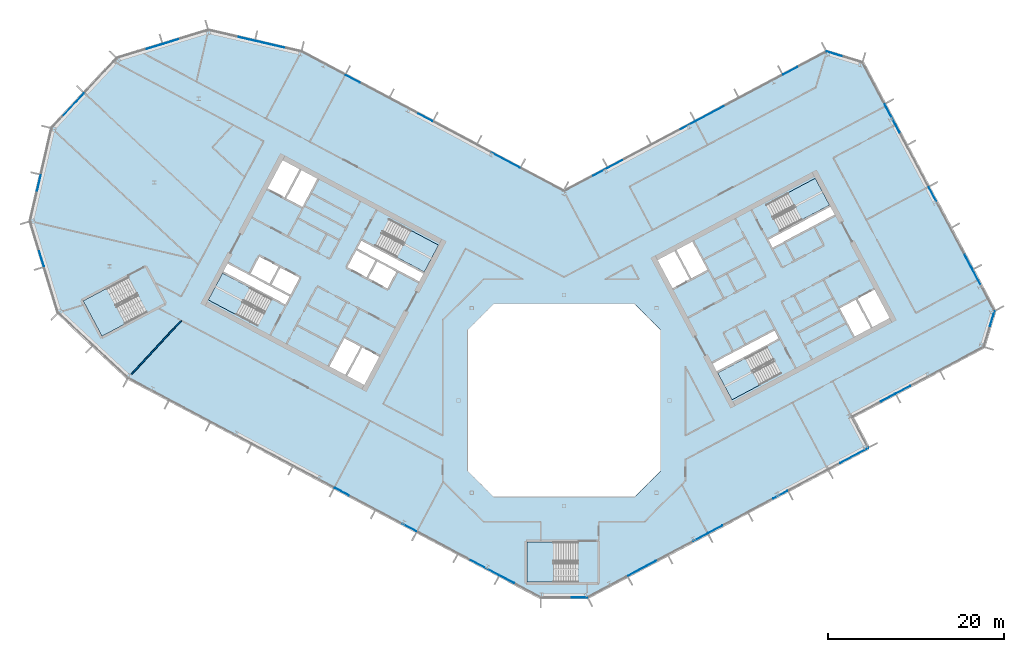
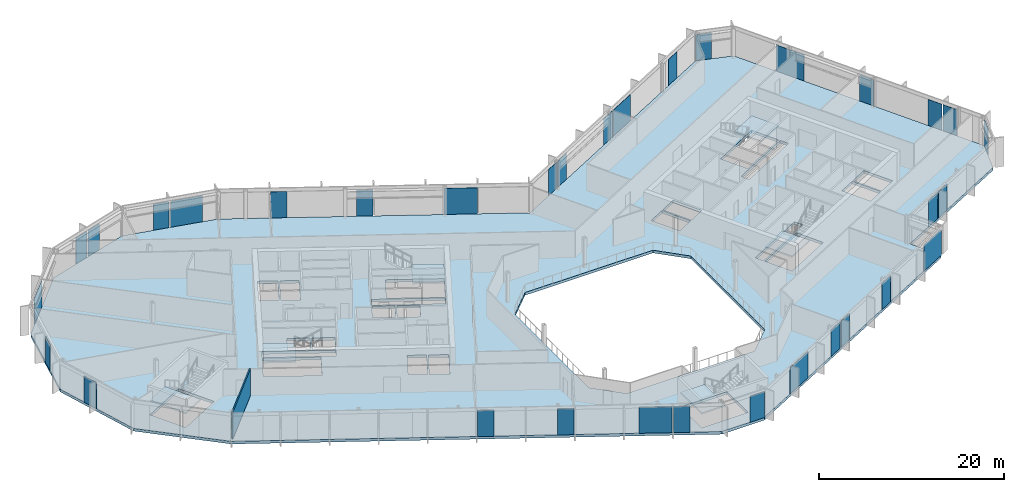
# One storey, part 11 of 26: 33 plates, 7 slabs, 1 wall, 20 elements without a shape of their own.
"""IFC4 building model written with IfcOpenShell, lengths in metres."""

from ifc_helpers import new_model, si_unit, direction, frame, frame_2d, origin, origin_2d, place, context, subcontext, project, spatial, polyline, rectangle, outline, extrude, material, layer, layer_set, type_object, element, aggregate, save


model = new_model("IFC4")

# Units and contexts
model_context = context("Model", 3, precision=1e-05, world=origin(), true_north=direction((0.0, 1.0)))
body_context = subcontext(model_context, "Body", "Model", "MODEL_VIEW")
ifc_project = project(units=[si_unit("LENGTHUNIT", "METRE"), si_unit("AREAUNIT", "SQUARE_METRE"), si_unit("VOLUMEUNIT", "CUBIC_METRE"), si_unit("PLANEANGLEUNIT", "RADIAN"), si_unit("MASSUNIT", "GRAM", prefix="KILO")], contexts=[model_context])

# Site, building, storey
site_placement = place(None, origin())
site = spatial("IfcSite", under=ifc_project, at=site_placement, CompositionType="ELEMENT")
building_placement = place(site_placement, origin())
building = spatial("IfcBuilding", under=site, at=building_placement, Name="Cormorant Relay Tower", CompositionType="ELEMENT")
storey_placement = place(building_placement, frame((0.0, 0.0, 197.39990234375)))
storey = spatial("IfcBuildingStorey", under=building, at=storey_placement, Name="L42", CompositionType="ELEMENT", Elevation=197.39990234375)

# Curtain wall, plate
ifc_material_1 = material(Name="Aluminium 6063-T6 anodised bronze", Category="aluminium")
ifc_layer_1 = layer(ifc_material_1, 0.199951171875)
ifc_layer_set_1 = layer_set([ifc_layer_1], Name="CW1 unitised bronze curtain wall with vertical fins")
curtain_wall_type = type_object("IfcCurtainWallType", Name="CW1 unitised bronze curtain wall with vertical fins", PredefinedType="NOTDEFINED", material=ifc_layer_set_1)
curtain_wall_1_placement = place(storey_placement, origin())
curtain_wall_1 = element("IfcCurtainWall", 1, at=curtain_wall_1_placement, inside=storey, type_object=curtain_wall_type, Name="CW1 curtain wall 1", PredefinedType="NOTDEFINED")
ifc_material_2 = material(Name="Tinted laminated glass", Category="glass")
ifc_layer_2 = layer(ifc_material_2, 0.0400390625)
ifc_layer_set_2 = layer_set([ifc_layer_2], Name="CW1 tinted vision panel 1800 module")
plate_type_1 = type_object("IfcPlateType", Name="CW1 tinted vision panel 1800 module", PredefinedType="CURTAIN_PANEL", material=ifc_layer_set_2)
plate_1_placement = place(storey_placement, frame((1.748779296875, -22.3955078125, 0.0), z_axis=(0.0, 0.0, 1.0), x_axis=(1.0, 0.0, 0.0)))
plate_1 = element("IfcPlate", 2, at=plate_1_placement, type_object=plate_type_1, Name="CW1 panel V01", PredefinedType="CURTAIN_PANEL", context=body_context, shape_type="SweptSolid", body=[
    extrude(rectangle(XDim=1.800048828125, YDim=0.0400390625, at=origin_2d()), origin(), (0.0, 0.0, 1.0), 3.449951171875),
])
aggregate(curtain_wall_1, [plate_1])

# Curtain wall, plates
curtain_wall_2_placement = place(storey_placement, origin())
curtain_wall_2 = element("IfcCurtainWall", 3, at=curtain_wall_2_placement, inside=storey, type_object=curtain_wall_type, Name="CW1 curtain wall 2", PredefinedType="NOTDEFINED")
plate_2_placement = place(storey_placement, frame((15.48291015625, -15.57421875, 0.0), z_axis=(0.0, 0.0, 1.0), x_axis=(0.882947592859, 0.469471562786, 0.0)))
plate_2 = element("IfcPlate", 4, at=plate_2_placement, type_object=plate_type_1, Name="CW1 panel V03", PredefinedType="CURTAIN_PANEL", context=body_context, shape_type="SweptSolid", body=[
    extrude(rectangle(XDim=1.800048828125, YDim=0.0400390625, at=origin_2d()), origin(), (0.0, 0.0, 1.0), 3.449951171875),
])
plate_3_placement = place(storey_placement, frame((17.20458984375, -14.65869140625, 0.0), z_axis=(0.0, 0.0, 1.0), x_axis=(0.882947592859, 0.469471562786, 0.0)))
plate_3 = element("IfcPlate", 5, at=plate_3_placement, type_object=plate_type_1, Name="CW1 panel V04", PredefinedType="CURTAIN_PANEL", context=body_context, shape_type="SweptSolid", body=[
    extrude(rectangle(XDim=1.800048828125, YDim=0.0400390625, at=origin_2d()), origin(), (0.0, 0.0, 1.0), 3.449951171875),
])
plate_4_placement = place(storey_placement, frame((24.6064453125, -10.72314453125, 0.0), z_axis=(0.0, 0.0, 1.0), x_axis=(0.882947592859, 0.469471562786, 0.0)))
plate_4 = element("IfcPlate", 6, at=plate_4_placement, type_object=plate_type_1, Name="CW1 panel V06", PredefinedType="CURTAIN_PANEL", context=body_context, shape_type="SweptSolid", body=[
    extrude(rectangle(XDim=1.800048828125, YDim=0.0400390625, at=origin_2d()), origin(), (0.0, 0.0, 1.0), 3.449951171875),
])

curtain_wall_3_placement = place(storey_placement, origin())
curtain_wall_3 = element("IfcCurtainWall", 7, at=curtain_wall_3_placement, inside=storey, type_object=curtain_wall_type, Name="CW1 curtain wall 4", PredefinedType="NOTDEFINED")
plate_5_placement = place(storey_placement, frame((36.85546875, 0.320068359375, 0.0), z_axis=(0.0, 0.0, 1.0), x_axis=(0.882947592859, 0.469471562786, 0.0)))
plate_5 = element("IfcPlate", 8, at=plate_5_placement, type_object=plate_type_1, Name="CW1 panel V01", PredefinedType="CURTAIN_PANEL", context=body_context, shape_type="SweptSolid", body=[
    extrude(rectangle(XDim=1.800048828125, YDim=0.0400390625, at=origin_2d()), origin(), (0.0, 0.0, 1.0), 3.449951171875),
])
plate_6_placement = place(storey_placement, frame((38.5771484375, 1.235595703125, 0.0), z_axis=(0.0, 0.0, 1.0), x_axis=(0.882947592859, 0.469471562786, 0.0)))
plate_6 = element("IfcPlate", 9, at=plate_6_placement, type_object=plate_type_1, Name="CW1 panel V02", PredefinedType="CURTAIN_PANEL", context=body_context, shape_type="SweptSolid", body=[
    extrude(rectangle(XDim=1.800048828125, YDim=0.0400390625, at=origin_2d()), origin(), (0.0, 0.0, 1.0), 3.449951171875),
])
aggregate(curtain_wall_3, [plate_5, plate_6])

# Curtain wall, plate
curtain_wall_4_placement = place(storey_placement, origin())
curtain_wall_4 = element("IfcCurtainWall", 10, at=curtain_wall_4_placement, inside=storey, type_object=curtain_wall_type, Name="CW1 curtain wall 5", PredefinedType="NOTDEFINED")
plate_7_placement = place(storey_placement, frame((48.710205078125, 9.306884765625, 0.0), z_axis=(0.0, 0.0, 1.0), x_axis=(0.292371704723, 0.956304755963, 0.0)))
plate_7 = element("IfcPlate", 11, at=plate_7_placement, type_object=plate_type_1, Name="CW1 panel V01", PredefinedType="CURTAIN_PANEL", context=body_context, shape_type="SweptSolid", body=[
    extrude(rectangle(XDim=1.800048828125, YDim=0.0400390625, at=origin_2d()), origin(), (0.0, 0.0, 1.0), 3.449951171875),
])
aggregate(curtain_wall_4, [plate_7])

# Curtain wall, plates
curtain_wall_5_placement = place(storey_placement, origin())
curtain_wall_5 = element("IfcCurtainWall", 12, at=curtain_wall_5_placement, inside=storey, type_object=curtain_wall_type, Name="CW1 curtain wall 6", PredefinedType="NOTDEFINED")
plate_8_placement = place(storey_placement, frame((46.925537109375, 14.031005859375, 0.0), z_axis=(0.0, 0.0, 1.0), x_axis=(-0.469471562786, 0.882947592859, 0.0)))
plate_8 = element("IfcPlate", 13, at=plate_8_placement, type_object=plate_type_1, Name="CW1 panel V01", PredefinedType="CURTAIN_PANEL", context=body_context, shape_type="SweptSolid", body=[
    extrude(rectangle(XDim=1.800048828125, YDim=0.0400390625, at=origin_2d()), origin(), (0.0, 0.0, 1.0), 3.449951171875),
])
plate_9_placement = place(storey_placement, frame((46.01025390625, 15.752685546875, 0.0), z_axis=(0.0, 0.0, 1.0), x_axis=(-0.469471562786, 0.882947592859, 0.0)))
plate_9 = element("IfcPlate", 14, at=plate_9_placement, type_object=plate_type_1, Name="CW1 panel V02", PredefinedType="CURTAIN_PANEL", context=body_context, shape_type="SweptSolid", body=[
    extrude(rectangle(XDim=1.800048828125, YDim=0.0400390625, at=origin_2d()), origin(), (0.0, 0.0, 1.0), 3.449951171875),
])
plate_10_placement = place(storey_placement, frame((41.91796875, 23.448974609375, 0.0), z_axis=(0.0, 0.0, 1.0), x_axis=(-0.469471562786, 0.882947592859, 0.0)))
plate_10 = element("IfcPlate", 15, at=plate_10_placement, type_object=plate_type_1, Name="CW1 panel V04", PredefinedType="CURTAIN_PANEL", context=body_context, shape_type="SweptSolid", body=[
    extrude(rectangle(XDim=1.800048828125, YDim=0.0400390625, at=origin_2d()), origin(), (0.0, 0.0, 1.0), 3.449951171875),
])

# Curtain wall, plate
curtain_wall_6_placement = place(storey_placement, origin())
curtain_wall_6 = element("IfcCurtainWall", 16, at=curtain_wall_6_placement, inside=storey, type_object=curtain_wall_type, Name="CW1 curtain wall 7", PredefinedType="NOTDEFINED")
plate_11_placement = place(storey_placement, frame((30.740234375, 39.424072265625, 0.0), z_axis=(0.0, 0.0, 1.0), x_axis=(-0.956304755963, 0.292371704723, 0.0)))
plate_11 = element("IfcPlate", 17, at=plate_11_placement, type_object=plate_type_1, Name="CW1 panel V01", PredefinedType="CURTAIN_PANEL", context=body_context, shape_type="SweptSolid", body=[
    extrude(rectangle(XDim=1.800048828125, YDim=0.0400390625, at=origin_2d()), origin(), (0.0, 0.0, 1.0), 3.449951171875),
])
aggregate(curtain_wall_6, [plate_11])

# Curtain wall, plates
curtain_wall_7_placement = place(storey_placement, origin())
curtain_wall_7 = element("IfcCurtainWall", 18, at=curtain_wall_7_placement, inside=storey, type_object=curtain_wall_type, Name="CW1 curtain wall 8", PredefinedType="NOTDEFINED")
plate_12_placement = place(storey_placement, frame((25.746337890625, 37.49609375, 0.0), z_axis=(0.0, 0.0, 1.0), x_axis=(-0.882947592859, -0.469471562786, 0.0)))
plate_12 = element("IfcPlate", 19, at=plate_12_placement, type_object=plate_type_1, Name="CW1 panel V01", PredefinedType="CURTAIN_PANEL", context=body_context, shape_type="SweptSolid", body=[
    extrude(rectangle(XDim=1.800048828125, YDim=0.0400390625, at=origin_2d()), origin(), (0.0, 0.0, 1.0), 3.449951171875),
])
plate_13_placement = place(storey_placement, frame((14.066650390625, 31.285888671875, 0.0), z_axis=(0.0, 0.0, 1.0), x_axis=(-0.882947592859, -0.469471562786, 0.0)))
plate_13 = element("IfcPlate", 20, at=plate_13_placement, type_object=plate_type_1, Name="CW1 panel V04", PredefinedType="CURTAIN_PANEL", context=body_context, shape_type="SweptSolid", body=[
    extrude(rectangle(XDim=1.800048828125, YDim=0.0400390625, at=origin_2d()), origin(), (0.0, 0.0, 1.0), 3.449951171875),
])
plate_14_placement = place(storey_placement, frame((5.830322265625, 26.90673828125, 0.0), z_axis=(0.0, 0.0, 1.0), x_axis=(-0.882947592859, -0.469471562786, 0.0)))
plate_14 = element("IfcPlate", 21, at=plate_14_placement, type_object=plate_type_1, Name="CW1 panel V06", PredefinedType="CURTAIN_PANEL", context=body_context, shape_type="SweptSolid", body=[
    extrude(rectangle(XDim=1.800048828125, YDim=0.0400390625, at=origin_2d()), origin(), (0.0, 0.0, 1.0), 3.449951171875),
])
plate_15_placement = place(storey_placement, frame((4.108642578125, 25.9912109375, 0.0), z_axis=(0.0, 0.0, 1.0), x_axis=(-0.882947592859, -0.469471562786, 0.0)))
plate_15 = element("IfcPlate", 22, at=plate_15_placement, type_object=plate_type_1, Name="CW1 panel V07", PredefinedType="CURTAIN_PANEL", context=body_context, shape_type="SweptSolid", body=[
    extrude(rectangle(XDim=1.800048828125, YDim=0.0400390625, at=origin_2d()), origin(), (0.0, 0.0, 1.0), 3.449951171875),
])

curtain_wall_8_placement = place(storey_placement, origin())
curtain_wall_8 = element("IfcCurtainWall", 23, at=curtain_wall_8_placement, inside=storey, type_object=curtain_wall_type, Name="CW1 curtain wall 9", PredefinedType="NOTDEFINED")
plate_16_placement = place(storey_placement, frame((-15.788330078125, 32.201416015625, 0.0), z_axis=(0.0, 0.0, 1.0), x_axis=(-0.882947592859, 0.469471562786, 0.0)))
plate_16 = element("IfcPlate", 24, at=plate_16_placement, type_object=plate_type_1, Name="CW1 panel V03", PredefinedType="CURTAIN_PANEL", context=body_context, shape_type="SweptSolid", body=[
    extrude(rectangle(XDim=1.800048828125, YDim=0.0400390625, at=origin_2d()), origin(), (0.0, 0.0, 1.0), 3.449951171875),
])
plate_17_placement = place(storey_placement, frame((-24.0244140625, 36.580810546875, 0.0), z_axis=(0.0, 0.0, 1.0), x_axis=(-0.882947592859, 0.469471562786, 0.0)))
plate_17 = element("IfcPlate", 25, at=plate_17_placement, type_object=plate_type_1, Name="CW1 panel V05", PredefinedType="CURTAIN_PANEL", context=body_context, shape_type="SweptSolid", body=[
    extrude(rectangle(XDim=1.800048828125, YDim=0.0400390625, at=origin_2d()), origin(), (0.0, 0.0, 1.0), 3.449951171875),
])

# Curtain wall, plate
curtain_wall_9_placement = place(storey_placement, origin())
curtain_wall_9 = element("IfcCurtainWall", 26, at=curtain_wall_9_placement, inside=storey, type_object=curtain_wall_type, Name="CW1 curtain wall 10", PredefinedType="NOTDEFINED")
plate_18_placement = place(storey_placement, frame((-36.114990234375, 41.129638671875, 0.0), z_axis=(0.0, 0.0, 1.0), x_axis=(-0.974370064785, 0.224951054344, 0.0)))
plate_18 = element("IfcPlate", 27, at=plate_18_placement, type_object=plate_type_1, Name="CW1 panel V02", PredefinedType="CURTAIN_PANEL", context=body_context, shape_type="SweptSolid", body=[
    extrude(rectangle(XDim=1.800048828125, YDim=0.0400390625, at=origin_2d()), origin(), (0.0, 0.0, 1.0), 3.449951171875),
])

# Curtain wall, plates
curtain_wall_10_placement = place(storey_placement, origin())
curtain_wall_10 = element("IfcCurtainWall", 28, at=curtain_wall_10_placement, inside=storey, type_object=curtain_wall_type, Name="CW1 curtain wall 11", PredefinedType="NOTDEFINED")
plate_19_placement = place(storey_placement, frame((-44.73681640625, 40.82861328125, 0.0), z_axis=(0.0, 0.0, 1.0), x_axis=(-0.956304755963, -0.292371704723, 0.0)))
plate_19 = element("IfcPlate", 29, at=plate_19_placement, type_object=plate_type_1, Name="CW1 panel V01", PredefinedType="CURTAIN_PANEL", context=body_context, shape_type="SweptSolid", body=[
    extrude(rectangle(XDim=1.800048828125, YDim=0.0400390625, at=origin_2d()), origin(), (0.0, 0.0, 1.0), 3.449951171875),
])
plate_20_placement = place(storey_placement, frame((-46.6015625, 40.25830078125, 0.0), z_axis=(0.0, 0.0, 1.0), x_axis=(-0.956304755963, -0.292371704723, 0.0)))
plate_20 = element("IfcPlate", 30, at=plate_20_placement, type_object=plate_type_1, Name="CW1 panel V02", PredefinedType="CURTAIN_PANEL", context=body_context, shape_type="SweptSolid", body=[
    extrude(rectangle(XDim=1.800048828125, YDim=0.0400390625, at=origin_2d()), origin(), (0.0, 0.0, 1.0), 3.449951171875),
])
aggregate(curtain_wall_10, [plate_19, plate_20])

# Curtain wall, plate
curtain_wall_11_placement = place(storey_placement, origin())
curtain_wall_11 = element("IfcCurtainWall", 31, at=curtain_wall_11_placement, inside=storey, type_object=curtain_wall_type, Name="CW1 curtain wall 13", PredefinedType="NOTDEFINED")
plate_21_placement = place(storey_placement, frame((-59.736083984375, 24.74365234375, 0.0), z_axis=(0.0, 0.0, 1.0), x_axis=(-0.224951054344, -0.974370064785, 0.0)))
plate_21 = element("IfcPlate", 32, at=plate_21_placement, type_object=plate_type_1, Name="CW1 panel V01", PredefinedType="CURTAIN_PANEL", context=body_context, shape_type="SweptSolid", body=[
    extrude(rectangle(XDim=1.800048828125, YDim=0.0400390625, at=origin_2d()), origin(), (0.0, 0.0, 1.0), 3.449951171875),
])
aggregate(curtain_wall_11, [plate_21])

curtain_wall_12_placement = place(storey_placement, origin())
curtain_wall_12 = element("IfcCurtainWall", 33, at=curtain_wall_12_placement, inside=storey, type_object=curtain_wall_type, Name="CW1 curtain wall 14", PredefinedType="NOTDEFINED")
plate_22_placement = place(storey_placement, frame((-59.434814453125, 16.122314453125, 0.0), z_axis=(0.0, 0.0, 1.0), x_axis=(0.292371704723, -0.956304755963, 0.0)))
plate_22 = element("IfcPlate", 34, at=plate_22_placement, type_object=plate_type_1, Name="CW1 panel V01", PredefinedType="CURTAIN_PANEL", context=body_context, shape_type="SweptSolid", body=[
    extrude(rectangle(XDim=1.800048828125, YDim=0.0400390625, at=origin_2d()), origin(), (0.0, 0.0, 1.0), 3.449951171875),
])
aggregate(curtain_wall_12, [plate_22])

# Curtain wall, plates
curtain_wall_13_placement = place(storey_placement, origin())
curtain_wall_13 = element("IfcCurtainWall", 35, at=curtain_wall_13_placement, inside=storey, type_object=curtain_wall_type, Name="CW1 curtain wall 16", PredefinedType="NOTDEFINED")
plate_23_placement = place(storey_placement, frame((-25.268798828125, -10.37109375, 0.0), z_axis=(0.0, 0.0, 1.0), x_axis=(0.882947592859, -0.469471562786, 0.0)))
plate_23 = element("IfcPlate", 36, at=plate_23_placement, type_object=plate_type_1, Name="CW1 panel V06", PredefinedType="CURTAIN_PANEL", context=body_context, shape_type="SweptSolid", body=[
    extrude(rectangle(XDim=1.800048828125, YDim=0.0400390625, at=origin_2d()), origin(), (0.0, 0.0, 1.0), 3.449951171875),
])
plate_24_placement = place(storey_placement, frame((-17.601806640625, -14.447509765625, 0.0), z_axis=(0.0, 0.0, 1.0), x_axis=(0.882947592859, -0.469471562786, 0.0)))
plate_24 = element("IfcPlate", 37, at=plate_24_placement, type_object=plate_type_1, Name="CW1 panel V08", PredefinedType="CURTAIN_PANEL", context=body_context, shape_type="SweptSolid", body=[
    extrude(rectangle(XDim=1.800048828125, YDim=0.0400390625, at=origin_2d()), origin(), (0.0, 0.0, 1.0), 3.449951171875),
])
plate_25_placement = place(storey_placement, frame((-6.49169921875, -20.35498046875, 0.0), z_axis=(0.0, 0.0, 1.0), x_axis=(0.882947592859, -0.469471562786, 0.0)))
plate_25 = element("IfcPlate", 38, at=plate_25_placement, type_object=plate_type_1, Name="CW1 panel V11", PredefinedType="CURTAIN_PANEL", context=body_context, shape_type="SweptSolid", body=[
    extrude(rectangle(XDim=1.800048828125, YDim=0.0400390625, at=origin_2d()), origin(), (0.0, 0.0, 1.0), 3.449951171875),
])

# Plate
ifc_material_3 = material(Name="Tinted laminated glass", Category="glass")
ifc_layer_3 = layer(ifc_material_3, 0.0400390625)
ifc_layer_set_3 = layer_set([ifc_layer_3], Name="CW1 tinted vision panel 3600 module")
plate_type_2 = type_object("IfcPlateType", Name="CW1 tinted vision panel 3600 module", PredefinedType="CURTAIN_PANEL", material=ifc_layer_set_3)
plate_26_placement = place(storey_placement, frame((8.87548828125, -19.08740234375, 0.0), z_axis=(0.0, 0.0, 1.0), x_axis=(0.882947592859, 0.469471562786, 0.0)))
plate_26 = element("IfcPlate", 39, at=plate_26_placement, type_object=plate_type_2, Name="CW1 panel V01", PredefinedType="CURTAIN_PANEL", context=body_context, shape_type="SweptSolid", body=[
    extrude(rectangle(XDim=3.60009765625, YDim=0.0400390625, at=origin_2d()), origin(), (0.0, 0.0, 1.0), 3.449951171875),
])

plate_27_placement = place(storey_placement, frame((33.00146484375, -6.259521484375, 0.0), z_axis=(0.0, 0.0, 1.0), x_axis=(0.882947592859, 0.469471562786, 0.0)))
plate_27 = element("IfcPlate", 40, at=plate_27_placement, type_object=plate_type_2, Name="CW1 panel V08", PredefinedType="CURTAIN_PANEL", context=body_context, shape_type="SweptSolid", body=[
    extrude(rectangle(XDim=3.60009765625, YDim=0.0400390625, at=origin_2d()), origin(), (0.0, 0.0, 1.0), 3.449951171875),
])

aggregate(curtain_wall_2, [plate_26, plate_2, plate_3, plate_4, plate_27])

plate_28_placement = place(storey_placement, frame((37.332763671875, 32.072509765625, 0.0), z_axis=(0.0, 0.0, 1.0), x_axis=(-0.469471562786, 0.882947592859, 0.0)))
plate_28 = element("IfcPlate", 41, at=plate_28_placement, type_object=plate_type_2, Name="CW1 panel V06", PredefinedType="CURTAIN_PANEL", context=body_context, shape_type="SweptSolid", body=[
    extrude(rectangle(XDim=3.60009765625, YDim=0.0400390625, at=origin_2d()), origin(), (0.0, 0.0, 1.0), 3.449951171875),
])

aggregate(curtain_wall_5, [plate_8, plate_9, plate_10, plate_28])

plate_29_placement = place(storey_placement, frame((16.5830078125, 32.6240234375, 0.0), z_axis=(0.0, 0.0, 1.0), x_axis=(-0.882947592859, -0.469471562786, 0.0)))
plate_29 = element("IfcPlate", 42, at=plate_29_placement, type_object=plate_type_2, Name="CW1 panel V03", PredefinedType="CURTAIN_PANEL", context=body_context, shape_type="SweptSolid", body=[
    extrude(rectangle(XDim=3.60009765625, YDim=0.0400390625, at=origin_2d()), origin(), (0.0, 0.0, 1.0), 3.449951171875),
])

aggregate(curtain_wall_7, [plate_12, plate_29, plate_13, plate_14, plate_15])

plate_30_placement = place(storey_placement, frame((-6.625, 27.3291015625, 0.0), z_axis=(0.0, 0.0, 1.0), x_axis=(-0.882947592859, 0.469471562786, 0.0)))
plate_30 = element("IfcPlate", 43, at=plate_30_placement, type_object=plate_type_2, Name="CW1 panel V01", PredefinedType="CURTAIN_PANEL", context=body_context, shape_type="SweptSolid", body=[
    extrude(rectangle(XDim=3.60009765625, YDim=0.0400390625, at=origin_2d()), origin(), (0.0, 0.0, 1.0), 3.449951171875),
])

aggregate(curtain_wall_8, [plate_30, plate_16, plate_17])

plate_31_placement = place(storey_placement, frame((-33.338134765625, 40.488525390625, 0.0), z_axis=(0.0, 0.0, 1.0), x_axis=(-0.974370064785, 0.224951054344, 0.0)))
plate_31 = element("IfcPlate", 44, at=plate_31_placement, type_object=plate_type_2, Name="CW1 panel V01", PredefinedType="CURTAIN_PANEL", context=body_context, shape_type="SweptSolid", body=[
    extrude(rectangle(XDim=3.60009765625, YDim=0.0400390625, at=origin_2d()), origin(), (0.0, 0.0, 1.0), 3.449951171875),
])

aggregate(curtain_wall_9, [plate_31, plate_18])

# Curtain wall, plate
curtain_wall_14_placement = place(storey_placement, origin())
curtain_wall_14 = element("IfcCurtainWall", 45, at=curtain_wall_14_placement, inside=storey, type_object=curtain_wall_type, Name="CW1 curtain wall 12", PredefinedType="NOTDEFINED")
plate_32_placement = place(storey_placement, frame((-55.861083984375, 33.6025390625, 0.0), z_axis=(0.0, 0.0, 1.0), x_axis=(-0.681998360062, -0.731353701619, 0.0)))
plate_32 = element("IfcPlate", 46, at=plate_32_placement, type_object=plate_type_2, Name="CW1 panel V01", PredefinedType="CURTAIN_PANEL", context=body_context, shape_type="SweptSolid", body=[
    extrude(rectangle(XDim=3.60009765625, YDim=0.0400390625, at=origin_2d()), origin(), (0.0, 0.0, 1.0), 3.449951171875),
])
aggregate(curtain_wall_14, [plate_32])

# Plate
plate_33_placement = place(storey_placement, frame((-9.008056640625, -19.01708984375, 0.0), z_axis=(0.0, 0.0, 1.0), x_axis=(0.882947592859, -0.469471562786, 0.0)))
plate_33 = element("IfcPlate", 47, at=plate_33_placement, type_object=plate_type_2, Name="CW1 panel V10", PredefinedType="CURTAIN_PANEL", context=body_context, shape_type="SweptSolid", body=[
    extrude(rectangle(XDim=3.60009765625, YDim=0.0400390625, at=origin_2d()), origin(), (0.0, 0.0, 1.0), 3.449951171875),
])

aggregate(curtain_wall_13, [plate_23, plate_24, plate_33, plate_25])

# Stair, slab
ifc_material_4 = material(Name="Concrete 40 MPa", Category="concrete")
stair_type_1 = type_object("IfcStairType", Name="Exit stair 1500", PredefinedType="HALF_TURN_STAIR", material=ifc_material_4)
stair_1_placement = place(storey_placement, origin())
stair_1 = element("IfcStair", 48, at=stair_1_placement, inside=storey, type_object=stair_type_1, Name="L42 Stair", PredefinedType="HALF_TURN_STAIR")
ifc_material_5 = material(Name="Concrete 40 MPa", Category="concrete")
ifc_layer_4 = layer(ifc_material_5, 0.199951171875)
ifc_layer_set_4 = layer_set([ifc_layer_4], Name="Exit stair landing 200")
slab_type_1 = type_object("IfcSlabType", Name="Exit stair landing 200", PredefinedType="LANDING", material=ifc_layer_set_4)
slab_1_placement = place(storey_placement, frame((0.0, 0.0, 1.75)))
slab_1 = element("IfcSlab", 49, at=slab_1_placement, type_object=slab_type_1, Name="A1 landing 1", PredefinedType="LANDING", context=body_context, shape_type="SweptSolid", body=[
    extrude(outline(polyline([(-19.029541015625, 16.29052734375), (-15.89501953125, 14.6240234375), (-14.275390625, 17.670166015625), (-17.40966796875, 19.3369140625), (-19.029541015625, 16.29052734375)])), origin(), (0.0, 0.0, 1.0), 0.2001953125),
])
aggregate(stair_1, [slab_1])

stair_2_placement = place(storey_placement, origin())
stair_2 = element("IfcStair", 50, at=stair_2_placement, inside=storey, type_object=stair_type_1, Name="L42 Stair", PredefinedType="HALF_TURN_STAIR")
slab_2_placement = place(storey_placement, frame((0.0, 0.0, 1.75)))
slab_2 = element("IfcSlab", 51, at=slab_2_placement, type_object=slab_type_1, Name="A2 landing 1", PredefinedType="LANDING", context=body_context, shape_type="SweptSolid", body=[
    extrude(outline(polyline([(-35.71337890625, 12.816650390625), (-38.84765625, 14.483154296875), (-40.467529296875, 11.43701171875), (-37.3330078125, 9.7705078125), (-35.71337890625, 12.816650390625)])), origin(), (0.0, 0.0, 1.0), 0.2001953125),
])
aggregate(stair_2, [slab_2])

stair_3_placement = place(storey_placement, origin())
stair_3 = element("IfcStair", 52, at=stair_3_placement, inside=storey, type_object=stair_type_1, Name="L42 Stair", PredefinedType="HALF_TURN_STAIR")
slab_3_placement = place(storey_placement, frame((0.0, 0.0, 1.75)))
slab_3 = element("IfcSlab", 53, at=slab_3_placement, type_object=slab_type_1, Name="B1 landing 1", PredefinedType="LANDING", context=body_context, shape_type="SweptSolid", body=[
    extrude(outline(polyline([(20.614990234375, 4.78857421875), (17.48046875, 3.1220703125), (19.10009765625, 0.075927734375), (22.234619140625, 1.742431640625), (20.614990234375, 4.78857421875)])), origin(), (0.0, 0.0, 1.0), 0.2001953125),
])
aggregate(stair_3, [slab_3])

stair_4_placement = place(storey_placement, origin())
stair_4 = element("IfcStair", 54, at=stair_4_placement, inside=storey, type_object=stair_type_1, Name="L42 Stair", PredefinedType="HALF_TURN_STAIR")
slab_4_placement = place(storey_placement, frame((0.0, 0.0, 1.75)))
slab_4 = element("IfcSlab", 55, at=slab_4_placement, type_object=slab_type_1, Name="B2 landing 1", PredefinedType="LANDING", context=body_context, shape_type="SweptSolid", body=[
    extrude(outline(polyline([(27.064208984375, 20.562744140625), (30.19873046875, 22.2294921875), (28.5791015625, 25.275634765625), (25.444580078125, 23.60888671875), (27.064208984375, 20.562744140625)])), origin(), (0.0, 0.0, 1.0), 0.2001953125),
])
aggregate(stair_4, [slab_4])

ifc_material_6 = material(Name="Concrete 40 MPa", Category="concrete")
stair_type_2 = type_object("IfcStairType", Name="Remote exit stair 2200", PredefinedType="HALF_TURN_STAIR", material=ifc_material_6)
stair_5_placement = place(storey_placement, origin())
stair_5 = element("IfcStair", 56, at=stair_5_placement, inside=storey, type_object=stair_type_2, Name="L42 Stair", PredefinedType="HALF_TURN_STAIR")
slab_5_placement = place(storey_placement, frame((0.0, 0.0, 1.75)))
slab_5 = element("IfcSlab", 57, at=slab_5_placement, type_object=slab_type_1, Name="RK1 landing 1", PredefinedType="LANDING", context=body_context, shape_type="SweptSolid", body=[
    extrude(outline(polyline([(-1.199951171875, -16.125), (-4.199951171875, -16.125), (-4.199951171875, -20.675048828125), (-1.199951171875, -20.675048828125), (-1.199951171875, -16.125)])), origin(), (0.0, 0.0, 1.0), 0.2001953125),
])
aggregate(stair_5, [slab_5])

stair_6_placement = place(storey_placement, origin())
stair_6 = element("IfcStair", 58, at=stair_6_placement, inside=storey, type_object=stair_type_2, Name="L42 Stair", PredefinedType="HALF_TURN_STAIR")
slab_6_placement = place(storey_placement, frame((0.0, 0.0, 1.75)))
slab_6 = element("IfcSlab", 59, at=slab_6_placement, type_object=slab_type_1, Name="RP1 landing 1", PredefinedType="LANDING", context=body_context, shape_type="SweptSolid", body=[
    extrude(outline(polyline([(-52.051025390625, 12.7392578125), (-54.699951171875, 11.330810546875), (-52.563720703125, 7.3134765625), (-49.914794921875, 8.721923828125), (-52.051025390625, 12.7392578125)])), origin(), (0.0, 0.0, 1.0), 0.2001953125),
])
aggregate(stair_6, [slab_6])

# Slab
ifc_material_7 = material(Name="Concrete 40 MPa", Category="concrete")
ifc_layer_5 = layer(ifc_material_7, 0.360107421875)
ifc_layer_set_5 = layer_set([ifc_layer_5], Name="Flat plate 360")
slab_type_2 = type_object("IfcSlabType", Name="Flat plate 360", PredefinedType="FLOOR", material=ifc_layer_set_5)
slab_7_placement = place(storey_placement, frame((0.0, 0.0, -0.35986328125)))
element("IfcSlab", 60, at=slab_7_placement, inside=storey, type_object=slab_type_2, Name="Floor slab L42", PredefinedType="FLOOR", context=body_context, shape_type="SweptSolid", body=[
    extrude(outline(polyline([(-60.7197265625, 20.393310546875), (-58.2744140625, 30.985107421875), (-50.86083984375, 38.935302734375), (-40.465576171875, 42.11328125), (-29.873779296875, 39.668212890625), (0.0, 23.783935546875), (29.873779296875, 39.668212890625), (33.930908203125, 38.427734375), (48.9541015625, 10.17333984375), (47.713623046875, 6.1162109375), (32.70361328125, -1.864990234375), (34.581298828125, -5.396728515625), (2.648681640625, -22.37548828125), (-2.648681640625, -22.37548828125), (-49.591552734375, 2.584228515625), (-57.541748046875, 9.997802734375), (-60.7197265625, 20.393310546875)]), holes=[polyline([(11.0, -8.0), (11.0, 8.0), (8.0, 11.0), (-8.0, 11.0), (-11.0, 8.0), (-11.0, -8.0), (-8.0, -11.0), (8.0, -11.0), (11.0, -8.0)]), polyline([(-22.95458984375, 6.03271484375), (-24.668212890625, 2.81005859375), (-22.725830078125, 1.777099609375), (-21.01220703125, 5.0), (-23.04296875, 6.07958984375), (-22.95458984375, 6.03271484375)]), polyline([(-24.985595703125, 7.112548828125), (-26.69921875, 3.889892578125), (-24.844970703125, 2.90380859375), (-23.13134765625, 6.126708984375), (-23.04296875, 6.07958984375), (-24.985595703125, 7.112548828125)]), polyline([(-54.69970703125, 11.330810546875), (-52.563720703125, 7.3134765625), (-47.442626953125, 10.036376953125), (-49.57861328125, 14.0537109375), (-54.69970703125, 11.330810546875)]), polyline([(-33.240966796875, 11.502197265625), (-38.847900390625, 14.483154296875), (-40.46728515625, 11.43701171875), (-34.860595703125, 8.455810546875), (-33.240966796875, 11.502197265625)]), polyline([(-38.260986328125, 15.5869140625), (-38.75390625, 14.659912109375), (-31.690185546875, 10.904052734375), (-31.197265625, 11.8310546875), (-38.260986328125, 15.5869140625)]), polyline([(-31.103515625, 12.0078125), (-30.070556640625, 13.9501953125), (-32.278076171875, 15.123779296875), (-33.310791015625, 13.181396484375), (-31.103515625, 12.0078125)]), polyline([(-22.2880859375, 13.889404296875), (-20.080810546875, 12.7158203125), (-19.048095703125, 14.658203125), (-21.25537109375, 15.831787109375), (-22.2880859375, 13.889404296875)]), polyline([(-34.661865234375, 16.3916015625), (-35.69482421875, 14.448974609375), (-33.4873046875, 13.275390625), (-32.45458984375, 15.2177734375), (-34.661865234375, 16.3916015625)]), polyline([(-21.431884765625, 15.92578125), (-23.639404296875, 17.099609375), (-24.672119140625, 15.156982421875), (-22.46484375, 13.9833984375), (-21.431884765625, 15.92578125)]), polyline([(-31.611572265625, 22.980712890625), (-29.75732421875, 21.99462890625), (-28.043701171875, 25.217529296875), (-29.89794921875, 26.203369140625), (-31.611572265625, 22.980712890625)]), polyline([(-32.01708984375, 27.330078125), (-33.73046875, 24.107421875), (-31.7880859375, 23.074462890625), (-30.074462890625, 26.29736328125), (-32.01708984375, 27.330078125)]), polyline([(-4.199951171875, -16.125), (-4.199951171875, -20.675048828125), (1.60009765625, -20.675048828125), (1.60009765625, -16.125), (-4.199951171875, -16.125)]), polyline([(17.48046875, 3.1220703125), (19.10009765625, 0.07568359375), (24.706787109375, 3.056884765625), (23.087158203125, 6.10302734375), (17.48046875, 3.1220703125)]), polyline([(17.386474609375, 3.298583984375), (24.4501953125, 7.054443359375), (23.957275390625, 7.9814453125), (16.8935546875, 4.2255859375), (17.386474609375, 3.298583984375)]), polyline([(33.197021484375, 11.478515625), (31.3427734375, 10.49267578125), (33.056396484375, 7.27001953125), (34.910400390625, 8.255859375), (33.197021484375, 11.478515625)]), polyline([(33.37353515625, 11.572509765625), (35.087158203125, 8.349609375), (37.029541015625, 9.382568359375), (35.31591796875, 12.605224609375), (33.37353515625, 11.572509765625)]), polyline([(14.3056640625, 13.779052734375), (12.592041015625, 17.001708984375), (10.649658203125, 15.968994140625), (12.36328125, 12.74609375), (14.39404296875, 13.825927734375), (14.3056640625, 13.779052734375)]), polyline([(16.33642578125, 14.85888671875), (14.622802734375, 18.08154296875), (12.768798828125, 17.095703125), (14.482421875, 13.872802734375), (14.39404296875, 13.825927734375), (16.33642578125, 14.85888671875)]), polyline([(-16.481689453125, 13.520263671875), (-15.989013671875, 14.447509765625), (-23.052490234375, 18.203125), (-23.54541015625, 17.276123046875), (-16.481689453125, 13.520263671875)]), polyline([(-15.89501953125, 14.6240234375), (-14.275390625, 17.670166015625), (-19.882080078125, 20.6513671875), (-21.501708984375, 17.605224609375), (-15.89501953125, 14.6240234375)]), polyline([(30.78564453125, 21.125732421875), (30.29248046875, 22.052978515625), (23.22900390625, 18.297119140625), (23.721923828125, 17.3701171875), (30.78564453125, 21.125732421875)]), polyline([(24.592041015625, 19.248291015625), (30.19873046875, 22.2294921875), (28.5791015625, 25.275634765625), (22.972412109375, 22.29443359375), (24.592041015625, 19.248291015625)])]), origin(), (0.0, 0.0, 1.0), 0.35986328125),
])

# Wall
ifc_material_8 = material(Name="Gypsum board partition")
ifc_layer_6 = layer(ifc_material_8, 0.14990234375)
ifc_layer_set_6 = layer_set([ifc_layer_6], Name="Tenant partition 150")
wall_type = type_object("IfcWallType", Name="Tenant partition 150", PredefinedType="PARTITIONING", material=ifc_layer_set_6)
wall_placement = place(storey_placement, frame((-43.51904296875, 9.095947265625, 0.0), z_axis=(0.0, 0.0, 1.0), x_axis=(-0.681976527411, -0.731374060287, 0.0)))
element("IfcWall", 61, at=wall_placement, inside=storey, type_object=wall_type, Name="wall/L42/part/009", PredefinedType="PARTITIONING", context=body_context, shape_type="SweptSolid", body=[
    extrude(rectangle(XDim=8.402099609375, YDim=0.14990234375, at=frame_2d((4.201171875, 0.0))), origin(), (0.0, 0.0, 1.0), 3.5400390625),
])

save(model, "model.ifc")
